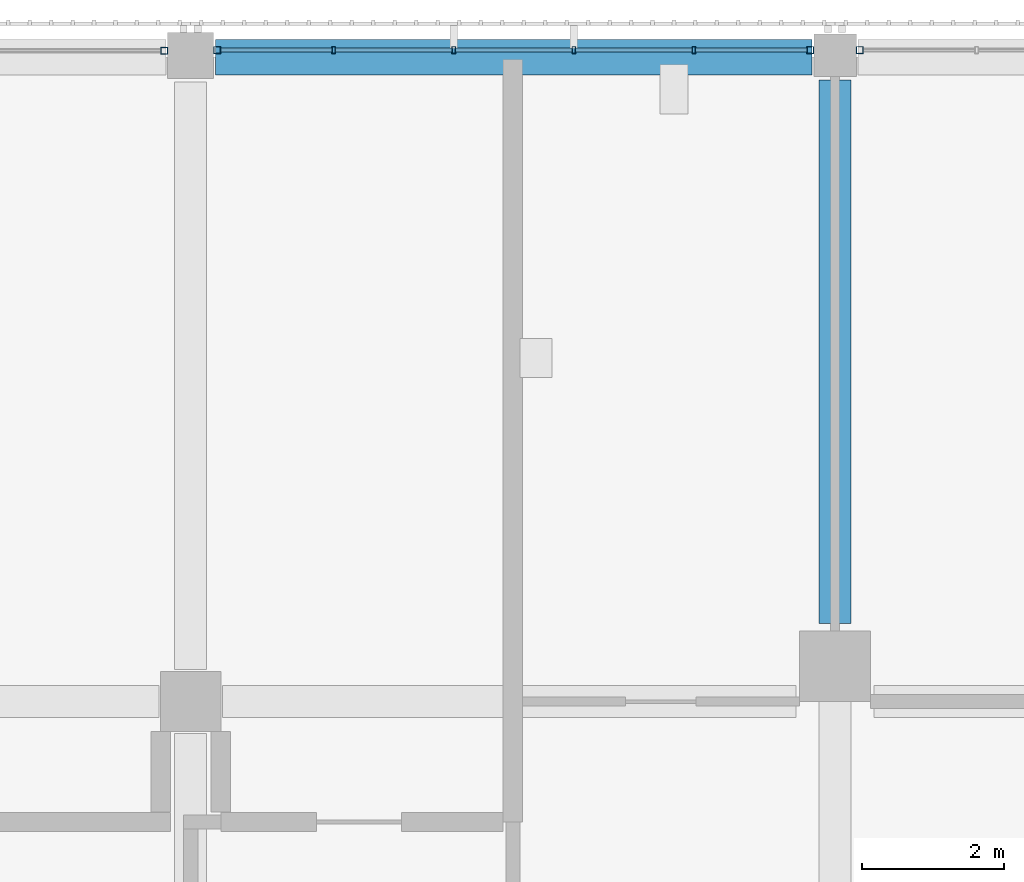
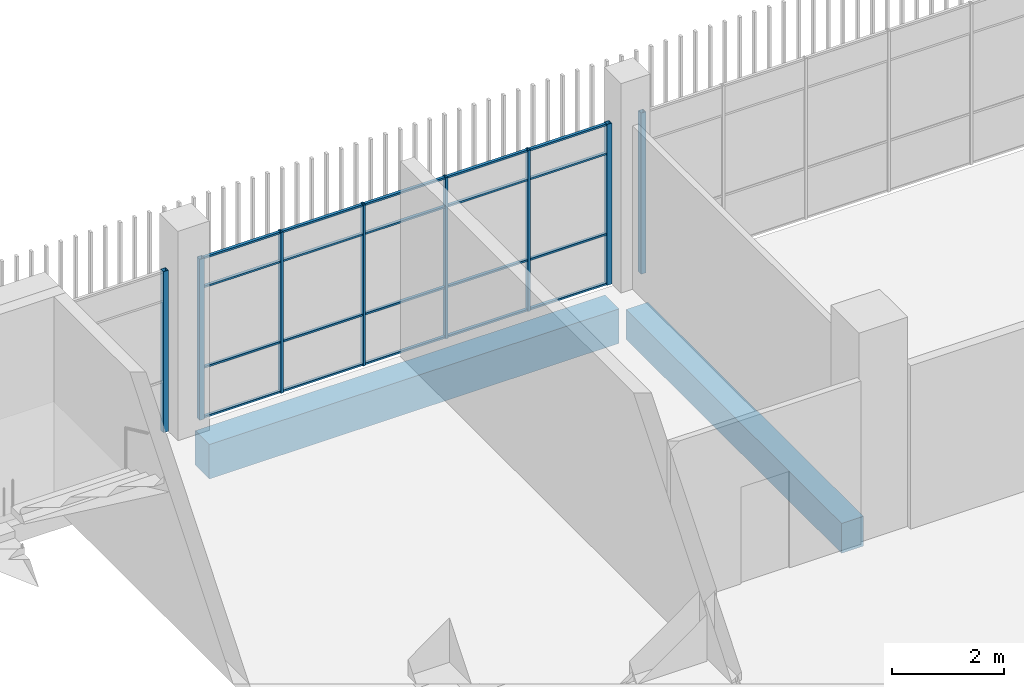
# One storey, part 30 of 126: 28 members, 2 beams, 3 elements without a shape of their own.
"""IFC4 building model written with IfcOpenShell, lengths in metres."""

from ifc_helpers import new_model, si_unit, direction, frame, origin, origin_2d, place, context, subcontext, project, spatial, rectangle, hollow_rectangle, extrude, material, layer, layer_set, material_profile, profile_set, type_object, element, aggregate, save


model = new_model("IFC4")

# Units and contexts
model_context = context("Model", 3, precision=1e-05, world=origin(), true_north=direction((0.0, 1.0)))
body_context = subcontext(model_context, "Body", "Model", "MODEL_VIEW")
ifc_project = project(units=[si_unit("LENGTHUNIT", "METRE"), si_unit("AREAUNIT", "SQUARE_METRE"), si_unit("VOLUMEUNIT", "CUBIC_METRE"), si_unit("PLANEANGLEUNIT", "RADIAN"), si_unit("MASSUNIT", "GRAM", prefix="KILO")], contexts=[model_context])

# Site, building, storey
site_placement = place(None, origin())
site = spatial("IfcSite", under=ifc_project, at=site_placement, CompositionType="ELEMENT")
building_placement = place(site_placement, origin())
building = spatial("IfcBuilding", under=site, at=building_placement, Name="Shirokan Park Arena", CompositionType="ELEMENT")
storey_placement = place(building_placement, frame((0.0, 0.0, 6.3701171875)))
storey = spatial("IfcBuildingStorey", under=building, at=storey_placement, Name="L01", CompositionType="ELEMENT", Elevation=6.3701171875)

# Curtain wall, member
ifc_material_1 = material(Name="Steel and glass curtain wall", Category="steel")
ifc_layer_1 = layer(ifc_material_1, 0.10009765625)
ifc_layer_set_1 = layer_set([ifc_layer_1], Name="Steel and glass curtain wall 100 mm")
curtain_wall_type_1 = type_object("IfcCurtainWallType", Name="Curtain wall sheltered bay 100", PredefinedType="NOTDEFINED", material=ifc_layer_set_1)
curtain_wall_1_placement = place(storey_placement, origin())
curtain_wall_1 = element("IfcCurtainWall", 1, at=curtain_wall_1_placement, inside=storey, type_object=curtain_wall_type_1, Name="Curtain wall north bay 11 L01", PredefinedType="NOTDEFINED")
ifc_material_2 = material(Name="Steel S355", Category="steel")
ifc_material_profile_1 = material_profile(ifc_material_2, hollow_rectangle(XDim=0.10009765625, YDim=0.10009765625, WallThickness=0.006103515625, at=origin_2d()), Name="RHS 100x100x6")
ifc_profile_set_1 = profile_set([ifc_material_profile_1], Name="Steel S355")
member_type_1 = type_object("IfcMemberType", Name="Mullion RHS 100x100x6", PredefinedType="MULLION", material=ifc_profile_set_1)
member_1_placement = place(storey_placement, frame((45.85009765625, 109.300048828125, 0.0), z_axis=(0.0, 0.0, 1.0), x_axis=(0.0, -1.0, 0.0)))
member_1 = element("IfcMember", 2, at=member_1_placement, type_object=member_type_1, Name="CW2 mullion 6", PredefinedType="MULLION", context=body_context, shape_type="SweptSolid", body=[
    extrude(hollow_rectangle(XDim=0.10009765625, YDim=0.10009765625, WallThickness=0.006103515625, at=origin_2d()), origin(), (0.0, 0.0, 1.0), 3.5),
])
aggregate(curtain_wall_1, [member_1])

# Curtain wall, members
curtain_wall_2_placement = place(storey_placement, origin())
curtain_wall_2 = element("IfcCurtainWall", 3, at=curtain_wall_2_placement, inside=storey, type_object=curtain_wall_type_1, Name="Curtain wall north bay 12 L01", PredefinedType="NOTDEFINED")
member_2_placement = place(storey_placement, frame((45.14990234375, 109.300048828125, 0.0), z_axis=(0.0, 0.0, 1.0), x_axis=(0.0, -1.0, 0.0)))
member_2 = element("IfcMember", 4, at=member_2_placement, type_object=member_type_1, Name="CW2 mullion 1", PredefinedType="MULLION", context=body_context, shape_type="SweptSolid", body=[
    extrude(hollow_rectangle(XDim=0.10009765625, YDim=0.10009765625, WallThickness=0.006103515625, at=origin_2d()), origin(), (0.0, 0.0, 1.0), 3.5),
])
member_3_placement = place(storey_placement, frame((36.77490234375, 109.300048828125, 0.0), z_axis=(0.0, 0.0, 1.0), x_axis=(0.0, -1.0, 0.0)))
member_3 = element("IfcMember", 5, at=member_3_placement, type_object=member_type_1, Name="CW2 mullion 6", PredefinedType="MULLION", context=body_context, shape_type="SweptSolid", body=[
    extrude(hollow_rectangle(XDim=0.10009765625, YDim=0.10009765625, WallThickness=0.006103515625, at=origin_2d()), origin(), (0.0, 0.0, 1.0), 3.5),
])

# Curtain wall, member
ifc_layer_2 = layer(ifc_material_1, 0.1201171875)
ifc_layer_set_2 = layer_set([ifc_layer_2], Name="Steel and glass curtain wall 120 mm")
curtain_wall_type_2 = type_object("IfcCurtainWallType", Name="Curtain wall corner block side bay 120", PredefinedType="NOTDEFINED", material=ifc_layer_set_2)
curtain_wall_3_placement = place(storey_placement, origin())
curtain_wall_3 = element("IfcCurtainWall", 6, at=curtain_wall_3_placement, inside=storey, type_object=curtain_wall_type_2, Name="Curtain wall north bay 13 L01", PredefinedType="NOTDEFINED")
member_4_placement = place(storey_placement, frame((36.02490234375, 109.2900390625, 0.0), z_axis=(0.0, 0.0, 1.0), x_axis=(0.0, -1.0, 0.0)))
member_4 = element("IfcMember", 7, at=member_4_placement, type_object=member_type_1, Name="CW3 mullion 1", PredefinedType="MULLION", context=body_context, shape_type="SweptSolid", body=[
    extrude(hollow_rectangle(XDim=0.10009765625, YDim=0.10009765625, WallThickness=0.006103515625, at=origin_2d()), origin(), (0.0, 0.0, 1.0), 3.5),
])
aggregate(curtain_wall_3, [member_4])

# Member
ifc_material_profile_2 = material_profile(ifc_material_2, hollow_rectangle(XDim=0.10009765625, YDim=0.050048828125, WallThickness=0.0048828125, at=origin_2d()), Name="RHS 100x50x5")
ifc_profile_set_2 = profile_set([ifc_material_profile_2], Name="Steel S355")
member_type_2 = type_object("IfcMemberType", Name="Mullion RHS 100x50x5", PredefinedType="MULLION", material=ifc_profile_set_2)
member_5_placement = place(storey_placement, frame((43.5048828125, 109.300048828125, 0.0), z_axis=(0.0, 0.0, 1.0), x_axis=(0.0, -1.0, 0.0)))
member_5 = element("IfcMember", 8, at=member_5_placement, type_object=member_type_2, Name="CW2 mullion 2", PredefinedType="MULLION", context=body_context, shape_type="SweptSolid", body=[
    extrude(hollow_rectangle(XDim=0.10009765625, YDim=0.050048828125, WallThickness=0.0048828125, at=origin_2d()), origin(), (0.0, 0.0, 1.0), 3.5),
])

member_6_placement = place(storey_placement, frame((41.81005859375, 109.300048828125, 0.0), z_axis=(0.0, 0.0, 1.0), x_axis=(0.0, -1.0, 0.0)))
member_6 = element("IfcMember", 9, at=member_6_placement, type_object=member_type_2, Name="CW2 mullion 3", PredefinedType="MULLION", context=body_context, shape_type="SweptSolid", body=[
    extrude(hollow_rectangle(XDim=0.10009765625, YDim=0.050048828125, WallThickness=0.0048828125, at=origin_2d()), origin(), (0.0, 0.0, 1.0), 3.5),
])

member_7_placement = place(storey_placement, frame((40.114990234375, 109.300048828125, 0.0), z_axis=(0.0, 0.0, 1.0), x_axis=(0.0, -1.0, 0.0)))
member_7 = element("IfcMember", 10, at=member_7_placement, type_object=member_type_2, Name="CW2 mullion 4", PredefinedType="MULLION", context=body_context, shape_type="SweptSolid", body=[
    extrude(hollow_rectangle(XDim=0.10009765625, YDim=0.050048828125, WallThickness=0.0048828125, at=origin_2d()), origin(), (0.0, 0.0, 1.0), 3.5),
])

member_8_placement = place(storey_placement, frame((38.419921875, 109.300048828125, 0.0), z_axis=(0.0, 0.0, 1.0), x_axis=(0.0, -1.0, 0.0)))
member_8 = element("IfcMember", 11, at=member_8_placement, type_object=member_type_2, Name="CW2 mullion 5", PredefinedType="MULLION", context=body_context, shape_type="SweptSolid", body=[
    extrude(hollow_rectangle(XDim=0.10009765625, YDim=0.050048828125, WallThickness=0.0048828125, at=origin_2d()), origin(), (0.0, 0.0, 1.0), 3.5),
])

# Beams
ifc_material_3 = material(Name="Concrete C35", Category="concrete")
ifc_material_profile_3 = material_profile(ifc_material_3, rectangle(XDim=0.449951171875, YDim=0.64990234375, at=origin_2d()), Name="450x650")
ifc_profile_set_3 = profile_set([ifc_material_profile_3], Name="Concrete C35")
beam_type_1 = type_object("IfcBeamType", Name="RC girder 450x650", PredefinedType="BEAM", material=ifc_profile_set_3)
beam_1_placement = place(storey_placement, frame((45.5, 101.2001953125, -0.675048828125), z_axis=(0.0, 1.0, 0.0), x_axis=(-1.0, 0.0, 0.0)))
element("IfcBeam", 12, at=beam_1_placement, inside=storey, type_object=beam_type_1, Name="Girder 6M-6N L01", PredefinedType="BEAM", context=body_context, shape_type="SweptSolid", body=[
    extrude(rectangle(XDim=0.449951171875, YDim=0.64990234375, at=origin_2d()), origin(), (0.0, 0.0, 1.0), 7.6748046875),
])
ifc_material_profile_4 = material_profile(ifc_material_3, rectangle(XDim=0.5, YDim=0.75, at=origin_2d()), Name="500x750")
ifc_profile_set_4 = profile_set([ifc_material_profile_4], Name="Concrete C35")
beam_type_2 = type_object("IfcBeamType", Name="RC girder 500x750", PredefinedType="BEAM", material=ifc_profile_set_4)
beam_2_placement = place(storey_placement, frame((36.75, 109.199951171875, -0.72509765625), z_axis=(1.0, 0.0, 0.0), x_axis=(0.0, 1.0, 0.0)))
element("IfcBeam", 13, at=beam_2_placement, inside=storey, type_object=beam_type_2, Name="Girder 5N-6N L01", PredefinedType="BEAM", context=body_context, shape_type="SweptSolid", body=[
    extrude(rectangle(XDim=0.5, YDim=0.75, at=origin_2d()), origin(), (0.0, 0.0, 1.0), 8.4248046875),
])

# Member
ifc_material_profile_5 = material_profile(ifc_material_2, hollow_rectangle(XDim=0.06005859375, YDim=0.0400390625, WallThickness=0.00390625, at=origin_2d()), Name="RHS 60x40x4")
ifc_profile_set_5 = profile_set([ifc_material_profile_5], Name="Steel S355")
member_type_3 = type_object("IfcMemberType", Name="Transom RHS 60x40x4", PredefinedType="MULLION", material=ifc_profile_set_5)
member_9_placement = place(storey_placement, frame((45.10009765625, 109.300048828125, 0.019775390625), z_axis=(-1.0, 0.0, 0.0), x_axis=(0.0, -1.0, 0.0)))
member_9 = element("IfcMember", 14, at=member_9_placement, type_object=member_type_3, Name="CW2 transom 1.1", PredefinedType="MULLION", context=body_context, shape_type="SweptSolid", body=[
    extrude(hollow_rectangle(XDim=0.06005859375, YDim=0.0400390625, WallThickness=0.00390625, at=origin_2d()), origin(), (0.0, 0.0, 1.0), 1.570068359375),
])

member_10_placement = place(storey_placement, frame((45.10009765625, 109.300048828125, 1.099853515625), z_axis=(-1.0, 0.0, 0.0), x_axis=(0.0, -1.0, 0.0)))
member_10 = element("IfcMember", 15, at=member_10_placement, type_object=member_type_3, Name="CW2 transom 1.2", PredefinedType="MULLION", context=body_context, shape_type="SweptSolid", body=[
    extrude(hollow_rectangle(XDim=0.06005859375, YDim=0.0400390625, WallThickness=0.00390625, at=origin_2d()), origin(), (0.0, 0.0, 1.0), 1.570068359375),
])

member_11_placement = place(storey_placement, frame((45.10009765625, 109.300048828125, 2.849853515625), z_axis=(-1.0, 0.0, 0.0), x_axis=(0.0, -1.0, 0.0)))
member_11 = element("IfcMember", 16, at=member_11_placement, type_object=member_type_3, Name="CW2 transom 1.3", PredefinedType="MULLION", context=body_context, shape_type="SweptSolid", body=[
    extrude(hollow_rectangle(XDim=0.06005859375, YDim=0.0400390625, WallThickness=0.00390625, at=origin_2d()), origin(), (0.0, 0.0, 1.0), 1.570068359375),
])

member_12_placement = place(storey_placement, frame((45.10009765625, 109.300048828125, 3.47998046875), z_axis=(-1.0, 0.0, 0.0), x_axis=(0.0, -1.0, 0.0)))
member_12 = element("IfcMember", 17, at=member_12_placement, type_object=member_type_3, Name="CW2 transom 1.4", PredefinedType="MULLION", context=body_context, shape_type="SweptSolid", body=[
    extrude(hollow_rectangle(XDim=0.06005859375, YDim=0.0400390625, WallThickness=0.00390625, at=origin_2d()), origin(), (0.0, 0.0, 1.0), 1.570068359375),
])

member_13_placement = place(storey_placement, frame((43.47998046875, 109.300048828125, 0.019775390625), z_axis=(-1.0, 0.0, 0.0), x_axis=(0.0, -1.0, 0.0)))
member_13 = element("IfcMember", 18, at=member_13_placement, type_object=member_type_3, Name="CW2 transom 2.1", PredefinedType="MULLION", context=body_context, shape_type="SweptSolid", body=[
    extrude(hollow_rectangle(XDim=0.06005859375, YDim=0.0400390625, WallThickness=0.00390625, at=origin_2d()), origin(), (0.0, 0.0, 1.0), 1.64501953125),
])

member_14_placement = place(storey_placement, frame((43.47998046875, 109.300048828125, 1.099853515625), z_axis=(-1.0, 0.0, 0.0), x_axis=(0.0, -1.0, 0.0)))
member_14 = element("IfcMember", 19, at=member_14_placement, type_object=member_type_3, Name="CW2 transom 2.2", PredefinedType="MULLION", context=body_context, shape_type="SweptSolid", body=[
    extrude(hollow_rectangle(XDim=0.06005859375, YDim=0.0400390625, WallThickness=0.00390625, at=origin_2d()), origin(), (0.0, 0.0, 1.0), 1.64501953125),
])

member_15_placement = place(storey_placement, frame((43.47998046875, 109.300048828125, 2.849853515625), z_axis=(-1.0, 0.0, 0.0), x_axis=(0.0, -1.0, 0.0)))
member_15 = element("IfcMember", 20, at=member_15_placement, type_object=member_type_3, Name="CW2 transom 2.3", PredefinedType="MULLION", context=body_context, shape_type="SweptSolid", body=[
    extrude(hollow_rectangle(XDim=0.06005859375, YDim=0.0400390625, WallThickness=0.00390625, at=origin_2d()), origin(), (0.0, 0.0, 1.0), 1.64501953125),
])

member_16_placement = place(storey_placement, frame((43.47998046875, 109.300048828125, 3.47998046875), z_axis=(-1.0, 0.0, 0.0), x_axis=(0.0, -1.0, 0.0)))
member_16 = element("IfcMember", 21, at=member_16_placement, type_object=member_type_3, Name="CW2 transom 2.4", PredefinedType="MULLION", context=body_context, shape_type="SweptSolid", body=[
    extrude(hollow_rectangle(XDim=0.06005859375, YDim=0.0400390625, WallThickness=0.00390625, at=origin_2d()), origin(), (0.0, 0.0, 1.0), 1.64501953125),
])

member_17_placement = place(storey_placement, frame((41.784912109375, 109.300048828125, 0.019775390625), z_axis=(-1.0, 0.0, 0.0), x_axis=(0.0, -1.0, 0.0)))
member_17 = element("IfcMember", 22, at=member_17_placement, type_object=member_type_3, Name="CW2 transom 3.1", PredefinedType="MULLION", context=body_context, shape_type="SweptSolid", body=[
    extrude(hollow_rectangle(XDim=0.06005859375, YDim=0.0400390625, WallThickness=0.00390625, at=origin_2d()), origin(), (0.0, 0.0, 1.0), 1.64501953125),
])

member_18_placement = place(storey_placement, frame((41.784912109375, 109.300048828125, 1.099853515625), z_axis=(-1.0, 0.0, 0.0), x_axis=(0.0, -1.0, 0.0)))
member_18 = element("IfcMember", 23, at=member_18_placement, type_object=member_type_3, Name="CW2 transom 3.2", PredefinedType="MULLION", context=body_context, shape_type="SweptSolid", body=[
    extrude(hollow_rectangle(XDim=0.06005859375, YDim=0.0400390625, WallThickness=0.00390625, at=origin_2d()), origin(), (0.0, 0.0, 1.0), 1.64501953125),
])

member_19_placement = place(storey_placement, frame((41.784912109375, 109.300048828125, 2.849853515625), z_axis=(-1.0, 0.0, 0.0), x_axis=(0.0, -1.0, 0.0)))
member_19 = element("IfcMember", 24, at=member_19_placement, type_object=member_type_3, Name="CW2 transom 3.3", PredefinedType="MULLION", context=body_context, shape_type="SweptSolid", body=[
    extrude(hollow_rectangle(XDim=0.06005859375, YDim=0.0400390625, WallThickness=0.00390625, at=origin_2d()), origin(), (0.0, 0.0, 1.0), 1.64501953125),
])

member_20_placement = place(storey_placement, frame((41.784912109375, 109.300048828125, 3.47998046875), z_axis=(-1.0, 0.0, 0.0), x_axis=(0.0, -1.0, 0.0)))
member_20 = element("IfcMember", 25, at=member_20_placement, type_object=member_type_3, Name="CW2 transom 3.4", PredefinedType="MULLION", context=body_context, shape_type="SweptSolid", body=[
    extrude(hollow_rectangle(XDim=0.06005859375, YDim=0.0400390625, WallThickness=0.00390625, at=origin_2d()), origin(), (0.0, 0.0, 1.0), 1.64501953125),
])

member_21_placement = place(storey_placement, frame((40.090087890625, 109.300048828125, 0.019775390625), z_axis=(-1.0, 0.0, 0.0), x_axis=(0.0, -1.0, 0.0)))
member_21 = element("IfcMember", 26, at=member_21_placement, type_object=member_type_3, Name="CW2 transom 4.1", PredefinedType="MULLION", context=body_context, shape_type="SweptSolid", body=[
    extrude(hollow_rectangle(XDim=0.06005859375, YDim=0.0400390625, WallThickness=0.00390625, at=origin_2d()), origin(), (0.0, 0.0, 1.0), 1.64501953125),
])

member_22_placement = place(storey_placement, frame((40.090087890625, 109.300048828125, 1.099853515625), z_axis=(-1.0, 0.0, 0.0), x_axis=(0.0, -1.0, 0.0)))
member_22 = element("IfcMember", 27, at=member_22_placement, type_object=member_type_3, Name="CW2 transom 4.2", PredefinedType="MULLION", context=body_context, shape_type="SweptSolid", body=[
    extrude(hollow_rectangle(XDim=0.06005859375, YDim=0.0400390625, WallThickness=0.00390625, at=origin_2d()), origin(), (0.0, 0.0, 1.0), 1.64501953125),
])

member_23_placement = place(storey_placement, frame((40.090087890625, 109.300048828125, 2.849853515625), z_axis=(-1.0, 0.0, 0.0), x_axis=(0.0, -1.0, 0.0)))
member_23 = element("IfcMember", 28, at=member_23_placement, type_object=member_type_3, Name="CW2 transom 4.3", PredefinedType="MULLION", context=body_context, shape_type="SweptSolid", body=[
    extrude(hollow_rectangle(XDim=0.06005859375, YDim=0.0400390625, WallThickness=0.00390625, at=origin_2d()), origin(), (0.0, 0.0, 1.0), 1.64501953125),
])

member_24_placement = place(storey_placement, frame((40.090087890625, 109.300048828125, 3.47998046875), z_axis=(-1.0, 0.0, 0.0), x_axis=(0.0, -1.0, 0.0)))
member_24 = element("IfcMember", 29, at=member_24_placement, type_object=member_type_3, Name="CW2 transom 4.4", PredefinedType="MULLION", context=body_context, shape_type="SweptSolid", body=[
    extrude(hollow_rectangle(XDim=0.06005859375, YDim=0.0400390625, WallThickness=0.00390625, at=origin_2d()), origin(), (0.0, 0.0, 1.0), 1.64501953125),
])

member_25_placement = place(storey_placement, frame((38.39501953125, 109.300048828125, 0.019775390625), z_axis=(-1.0, 0.0, 0.0), x_axis=(0.0, -1.0, 0.0)))
member_25 = element("IfcMember", 30, at=member_25_placement, type_object=member_type_3, Name="CW2 transom 5.1", PredefinedType="MULLION", context=body_context, shape_type="SweptSolid", body=[
    extrude(hollow_rectangle(XDim=0.06005859375, YDim=0.0400390625, WallThickness=0.00390625, at=origin_2d()), origin(), (0.0, 0.0, 1.0), 1.570068359375),
])

member_26_placement = place(storey_placement, frame((38.39501953125, 109.300048828125, 1.099853515625), z_axis=(-1.0, 0.0, 0.0), x_axis=(0.0, -1.0, 0.0)))
member_26 = element("IfcMember", 31, at=member_26_placement, type_object=member_type_3, Name="CW2 transom 5.2", PredefinedType="MULLION", context=body_context, shape_type="SweptSolid", body=[
    extrude(hollow_rectangle(XDim=0.06005859375, YDim=0.0400390625, WallThickness=0.00390625, at=origin_2d()), origin(), (0.0, 0.0, 1.0), 1.570068359375),
])

member_27_placement = place(storey_placement, frame((38.39501953125, 109.300048828125, 2.849853515625), z_axis=(-1.0, 0.0, 0.0), x_axis=(0.0, -1.0, 0.0)))
member_27 = element("IfcMember", 32, at=member_27_placement, type_object=member_type_3, Name="CW2 transom 5.3", PredefinedType="MULLION", context=body_context, shape_type="SweptSolid", body=[
    extrude(hollow_rectangle(XDim=0.06005859375, YDim=0.0400390625, WallThickness=0.00390625, at=origin_2d()), origin(), (0.0, 0.0, 1.0), 1.570068359375),
])

member_28_placement = place(storey_placement, frame((38.39501953125, 109.300048828125, 3.47998046875), z_axis=(-1.0, 0.0, 0.0), x_axis=(0.0, -1.0, 0.0)))
member_28 = element("IfcMember", 33, at=member_28_placement, type_object=member_type_3, Name="CW2 transom 5.4", PredefinedType="MULLION", context=body_context, shape_type="SweptSolid", body=[
    extrude(hollow_rectangle(XDim=0.06005859375, YDim=0.0400390625, WallThickness=0.00390625, at=origin_2d()), origin(), (0.0, 0.0, 1.0), 1.570068359375),
])

aggregate(curtain_wall_2, [member_2, member_5, member_6, member_7, member_8, member_3, member_9, member_10, member_11, member_12, member_13, member_14, member_15, member_16, member_17, member_18, member_19, member_20, member_21, member_22, member_23, member_24, member_25, member_26, member_27, member_28])

save(model, "model.ifc")
